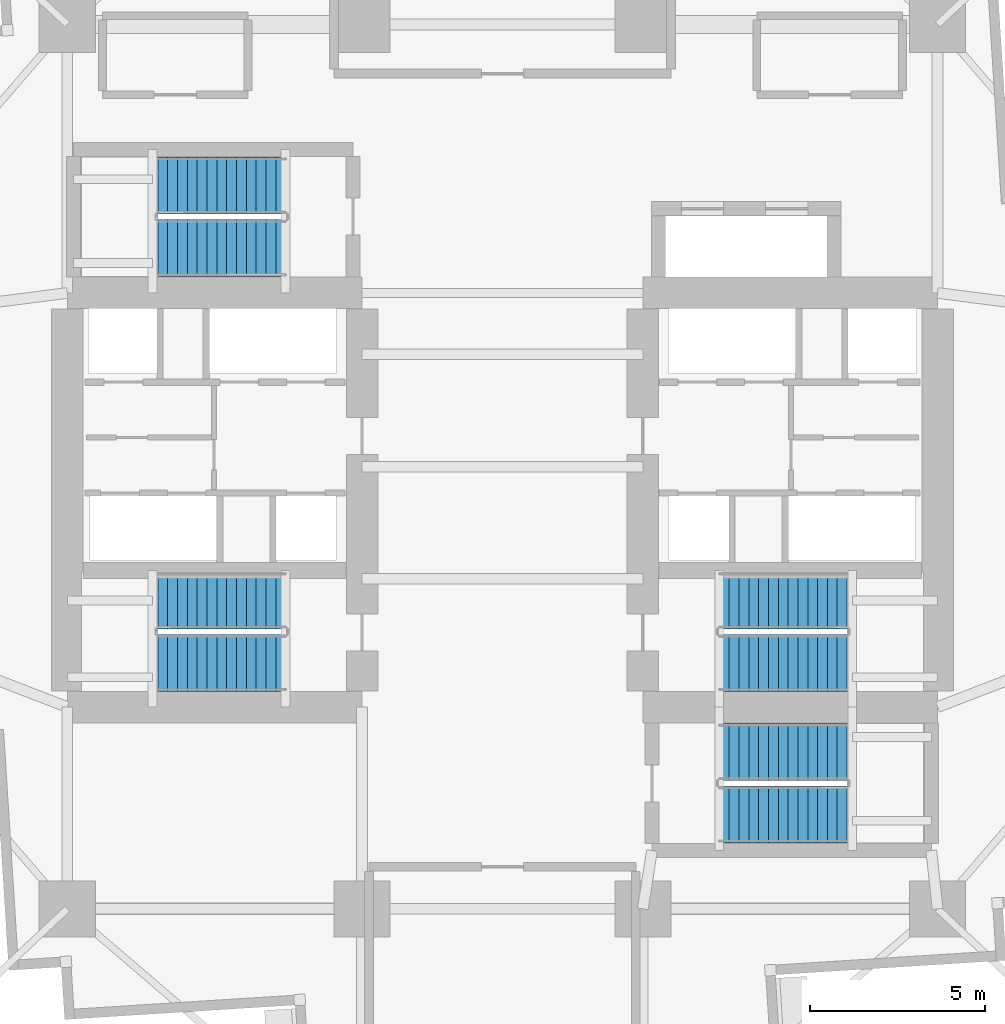
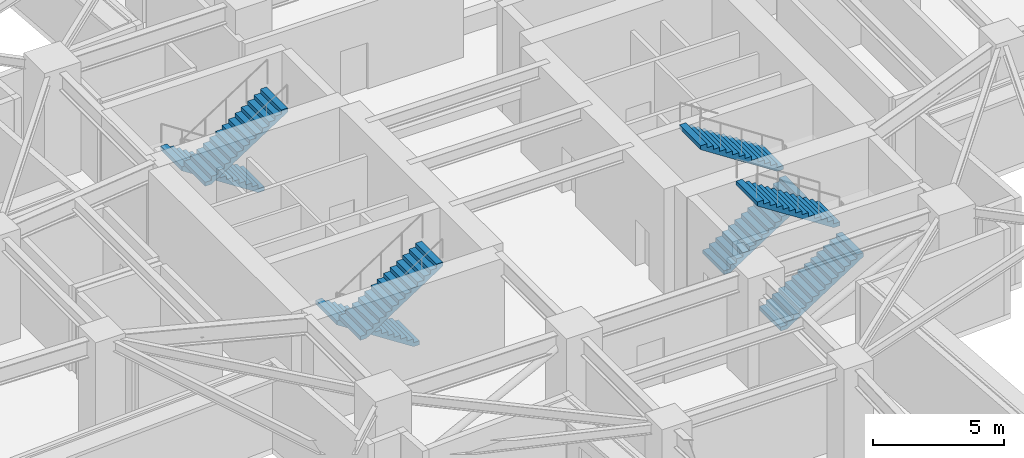
# One storey, part 6 of 11: 8 stair flights, 4 elements without a shape of their own.
"""IFC4 building model written with IfcOpenShell, lengths in metres."""

from ifc_helpers import new_model, si_unit, direction, frame, origin, place, context, subcontext, project, spatial, polyline, outline, extrude, material, layer, layer_set, type_object, element, aggregate, save


model = new_model("IFC4")

# Units and contexts
model_context = context("Model", 3, precision=1e-05, world=origin(), true_north=direction((0.0, 1.0)))
body_context = subcontext(model_context, "Body", "Model", "MODEL_VIEW")
ifc_project = project(units=[si_unit("LENGTHUNIT", "METRE"), si_unit("AREAUNIT", "SQUARE_METRE"), si_unit("VOLUMEUNIT", "CUBIC_METRE"), si_unit("PLANEANGLEUNIT", "RADIAN"), si_unit("MASSUNIT", "GRAM", prefix="KILO")], contexts=[model_context])

# Site, building, storey
site_placement = place(None, origin())
site = spatial("IfcSite", under=ifc_project, at=site_placement, CompositionType="ELEMENT")
building_placement = place(site_placement, origin())
building = spatial("IfcBuilding", under=site, at=building_placement, Name="Qingluan Cross Belvedere", CompositionType="ELEMENT")
storey_placement = place(building_placement, frame((0.0, 0.0, 47.10009765625)))
storey = spatial("IfcBuildingStorey", under=building, at=storey_placement, Name="L12", CompositionType="ELEMENT", Elevation=47.10009765625)

# Stair, stair flights
ifc_material_1 = material(Name="Concrete C40", Category="concrete")
stair_type = type_object("IfcStairType", Name="CoreDoglegStair_1620", PredefinedType="HALF_TURN_STAIR", material=ifc_material_1)
stair_1_placement = place(storey_placement, origin())
stair_1 = element("IfcStair", 1, at=stair_1_placement, inside=storey, type_object=stair_type, Name="L12 ST1", PredefinedType="HALF_TURN_STAIR")
ifc_material_2 = material(Name="Concrete C40", Category="concrete")
ifc_layer = layer(ifc_material_2, 0.179931640625, Name="StairFlight_RC180")
ifc_layer_set = layer_set([ifc_layer], Name="Concrete C40")
stair_flight_type = type_object("IfcStairFlightType", Name="StairFlight_RC180", PredefinedType="STRAIGHT", material=ifc_layer_set)
stair_flight_1_placement = place(storey_placement, frame((-6.179931640625, -3.81005859375, 0.0), z_axis=(0.0, 0.0, 1.0), x_axis=(-1.0, 0.0, 0.0)))
stair_flight_1 = element("IfcStairFlight", 2, at=stair_flight_1_placement, type_object=stair_flight_type, Name="ST1 flight 1", NumberOfRisers=14, NumberOfTreads=13, PredefinedType="STRAIGHT", RiserHeight=0.182142857, TreadLength=0.28, context=body_context, shape_type="SweptSolid", body=[
    extrude(outline(polyline([(0.0, 0.0), (0.0, 0.18212890625), (0.280029296875, 0.18212890625), (0.280029296875, 0.3642578125), (0.56005859375, 0.3642578125), (0.56005859375, 0.54638671875), (0.840087890625, 0.54638671875), (0.840087890625, 0.728515625), (1.1201171875, 0.728515625), (1.1201171875, 0.91064453125), (1.39990234375, 0.91064453125), (1.39990234375, 1.0927734375), (1.679931640625, 1.0927734375), (1.679931640625, 1.27490234375), (1.9599609375, 1.27490234375), (1.9599609375, 1.45703125), (2.239990234375, 1.45703125), (2.239990234375, 1.639404296875), (2.52001953125, 1.639404296875), (2.52001953125, 1.821533203125), (2.800048828125, 1.821533203125), (2.800048828125, 2.003662109375), (3.080078125, 2.003662109375), (3.080078125, 2.185791015625), (3.360107421875, 2.185791015625), (3.360107421875, 2.367919921875), (3.639892578125, 2.367919921875), (3.639892578125, 2.550048828125), (3.639892578125, 2.18896484375), (0.27490234375, 0.0), (0.0, 0.0)])), frame((0.0, 0.81005859375, 0.0), z_axis=(0.0, -1.0, 0.0), x_axis=(1.0, 0.0, 0.0)), (0.0, 0.0, 1.0), 1.6201171875),
])
stair_flight_2_placement = place(storey_placement, frame((-9.820068359375, -5.590087890625, 2.5498046875), z_axis=(0.0, 0.0, 1.0), x_axis=(1.0, 0.0, 0.0)))
stair_flight_2 = element("IfcStairFlight", 3, at=stair_flight_2_placement, type_object=stair_flight_type, Name="ST1 flight 2", NumberOfRisers=14, NumberOfTreads=13, PredefinedType="STRAIGHT", RiserHeight=0.182142857, TreadLength=0.28, context=body_context, shape_type="SweptSolid", body=[
    extrude(outline(polyline([(0.0, 0.0), (0.0, 0.18212890625), (0.280029296875, 0.18212890625), (0.280029296875, 0.3642578125), (0.56005859375, 0.3642578125), (0.56005859375, 0.54638671875), (0.840087890625, 0.54638671875), (0.840087890625, 0.728515625), (1.1201171875, 0.728515625), (1.1201171875, 0.91064453125), (1.39990234375, 0.91064453125), (1.39990234375, 1.0927734375), (1.679931640625, 1.0927734375), (1.679931640625, 1.27490234375), (1.9599609375, 1.27490234375), (1.9599609375, 1.45703125), (2.239990234375, 1.45703125), (2.239990234375, 1.639404296875), (2.52001953125, 1.639404296875), (2.52001953125, 1.821533203125), (2.800048828125, 1.821533203125), (2.800048828125, 2.003662109375), (3.080078125, 2.003662109375), (3.080078125, 2.185791015625), (3.360107421875, 2.185791015625), (3.360107421875, 2.367919921875), (3.639892578125, 2.367919921875), (3.639892578125, 2.550048828125), (3.639892578125, 2.18896484375), (0.27490234375, 0.0), (0.0, 0.0)])), frame((0.0, 0.81005859375, 0.0), z_axis=(0.0, -1.0, 0.0), x_axis=(1.0, 0.0, 0.0)), (0.0, 0.0, 1.0), 1.6201171875),
])
aggregate(stair_1, [stair_flight_1, stair_flight_2])

stair_2_placement = place(storey_placement, origin())
stair_2 = element("IfcStair", 4, at=stair_2_placement, inside=storey, type_object=stair_type, Name="L12 ST2", PredefinedType="HALF_TURN_STAIR")
stair_flight_3_placement = place(storey_placement, frame((6.179931640625, -5.590087890625, 0.0), z_axis=(0.0, 0.0, 1.0), x_axis=(1.0, 0.0, 0.0)))
stair_flight_3 = element("IfcStairFlight", 5, at=stair_flight_3_placement, type_object=stair_flight_type, Name="ST2 flight 1", NumberOfRisers=14, NumberOfTreads=13, PredefinedType="STRAIGHT", RiserHeight=0.182142857, TreadLength=0.28, context=body_context, shape_type="SweptSolid", body=[
    extrude(outline(polyline([(0.0, 0.0), (0.0, 0.18212890625), (0.280029296875, 0.18212890625), (0.280029296875, 0.3642578125), (0.56005859375, 0.3642578125), (0.56005859375, 0.54638671875), (0.840087890625, 0.54638671875), (0.840087890625, 0.728515625), (1.1201171875, 0.728515625), (1.1201171875, 0.91064453125), (1.39990234375, 0.91064453125), (1.39990234375, 1.0927734375), (1.679931640625, 1.0927734375), (1.679931640625, 1.27490234375), (1.9599609375, 1.27490234375), (1.9599609375, 1.45703125), (2.239990234375, 1.45703125), (2.239990234375, 1.639404296875), (2.52001953125, 1.639404296875), (2.52001953125, 1.821533203125), (2.800048828125, 1.821533203125), (2.800048828125, 2.003662109375), (3.080078125, 2.003662109375), (3.080078125, 2.185791015625), (3.360107421875, 2.185791015625), (3.360107421875, 2.367919921875), (3.639892578125, 2.367919921875), (3.639892578125, 2.550048828125), (3.639892578125, 2.18896484375), (0.27490234375, 0.0), (0.0, 0.0)])), frame((0.0, 0.81005859375, 0.0), z_axis=(0.0, -1.0, 0.0), x_axis=(1.0, 0.0, 0.0)), (0.0, 0.0, 1.0), 1.6201171875),
])
stair_flight_4_placement = place(storey_placement, frame((9.820068359375, -3.81005859375, 2.5498046875), z_axis=(0.0, 0.0, 1.0), x_axis=(-1.0, 0.0, 0.0)))
stair_flight_4 = element("IfcStairFlight", 6, at=stair_flight_4_placement, type_object=stair_flight_type, Name="ST2 flight 2", NumberOfRisers=14, NumberOfTreads=13, PredefinedType="STRAIGHT", RiserHeight=0.182142857, TreadLength=0.28, context=body_context, shape_type="SweptSolid", body=[
    extrude(outline(polyline([(0.0, 0.0), (0.0, 0.18212890625), (0.280029296875, 0.18212890625), (0.280029296875, 0.3642578125), (0.56005859375, 0.3642578125), (0.56005859375, 0.54638671875), (0.840087890625, 0.54638671875), (0.840087890625, 0.728515625), (1.1201171875, 0.728515625), (1.1201171875, 0.91064453125), (1.39990234375, 0.91064453125), (1.39990234375, 1.0927734375), (1.679931640625, 1.0927734375), (1.679931640625, 1.27490234375), (1.9599609375, 1.27490234375), (1.9599609375, 1.45703125), (2.239990234375, 1.45703125), (2.239990234375, 1.639404296875), (2.52001953125, 1.639404296875), (2.52001953125, 1.821533203125), (2.800048828125, 1.821533203125), (2.800048828125, 2.003662109375), (3.080078125, 2.003662109375), (3.080078125, 2.185791015625), (3.360107421875, 2.185791015625), (3.360107421875, 2.367919921875), (3.639892578125, 2.367919921875), (3.639892578125, 2.550048828125), (3.639892578125, 2.18896484375), (0.27490234375, 0.0), (0.0, 0.0)])), frame((0.0, 0.81005859375, 0.0), z_axis=(0.0, -1.0, 0.0), x_axis=(1.0, 0.0, 0.0)), (0.0, 0.0, 1.0), 1.6201171875),
])
aggregate(stair_2, [stair_flight_3, stair_flight_4])

stair_3_placement = place(storey_placement, origin())
stair_3 = element("IfcStair", 7, at=stair_3_placement, inside=storey, type_object=stair_type, Name="L12 ST3", PredefinedType="HALF_TURN_STAIR")
stair_flight_5_placement = place(storey_placement, frame((-6.179931640625, 8.010009765625, 0.0), z_axis=(0.0, 0.0, 1.0), x_axis=(-1.0, 0.0, 0.0)))
stair_flight_5 = element("IfcStairFlight", 8, at=stair_flight_5_placement, type_object=stair_flight_type, Name="ST3 flight 1", NumberOfRisers=14, NumberOfTreads=13, PredefinedType="STRAIGHT", RiserHeight=0.182142857, TreadLength=0.28, context=body_context, shape_type="SweptSolid", body=[
    extrude(outline(polyline([(0.0, 0.0), (0.0, 0.18212890625), (0.280029296875, 0.18212890625), (0.280029296875, 0.3642578125), (0.56005859375, 0.3642578125), (0.56005859375, 0.54638671875), (0.840087890625, 0.54638671875), (0.840087890625, 0.728515625), (1.1201171875, 0.728515625), (1.1201171875, 0.91064453125), (1.39990234375, 0.91064453125), (1.39990234375, 1.0927734375), (1.679931640625, 1.0927734375), (1.679931640625, 1.27490234375), (1.9599609375, 1.27490234375), (1.9599609375, 1.45703125), (2.239990234375, 1.45703125), (2.239990234375, 1.639404296875), (2.52001953125, 1.639404296875), (2.52001953125, 1.821533203125), (2.800048828125, 1.821533203125), (2.800048828125, 2.003662109375), (3.080078125, 2.003662109375), (3.080078125, 2.185791015625), (3.360107421875, 2.185791015625), (3.360107421875, 2.367919921875), (3.639892578125, 2.367919921875), (3.639892578125, 2.550048828125), (3.639892578125, 2.18896484375), (0.27490234375, 0.0), (0.0, 0.0)])), frame((0.0, 0.81005859375, 0.0), z_axis=(0.0, -1.0, 0.0), x_axis=(1.0, 0.0, 0.0)), (0.0, 0.0, 1.0), 1.6201171875),
])
stair_flight_6_placement = place(storey_placement, frame((-9.820068359375, 6.22998046875, 2.5498046875), z_axis=(0.0, 0.0, 1.0), x_axis=(1.0, 0.0, 0.0)))
stair_flight_6 = element("IfcStairFlight", 9, at=stair_flight_6_placement, type_object=stair_flight_type, Name="ST3 flight 2", NumberOfRisers=14, NumberOfTreads=13, PredefinedType="STRAIGHT", RiserHeight=0.182142857, TreadLength=0.28, context=body_context, shape_type="SweptSolid", body=[
    extrude(outline(polyline([(0.0, 0.0), (0.0, 0.18212890625), (0.280029296875, 0.18212890625), (0.280029296875, 0.3642578125), (0.56005859375, 0.3642578125), (0.56005859375, 0.54638671875), (0.840087890625, 0.54638671875), (0.840087890625, 0.728515625), (1.1201171875, 0.728515625), (1.1201171875, 0.91064453125), (1.39990234375, 0.91064453125), (1.39990234375, 1.0927734375), (1.679931640625, 1.0927734375), (1.679931640625, 1.27490234375), (1.9599609375, 1.27490234375), (1.9599609375, 1.45703125), (2.239990234375, 1.45703125), (2.239990234375, 1.639404296875), (2.52001953125, 1.639404296875), (2.52001953125, 1.821533203125), (2.800048828125, 1.821533203125), (2.800048828125, 2.003662109375), (3.080078125, 2.003662109375), (3.080078125, 2.185791015625), (3.360107421875, 2.185791015625), (3.360107421875, 2.367919921875), (3.639892578125, 2.367919921875), (3.639892578125, 2.550048828125), (3.639892578125, 2.18896484375), (0.27490234375, 0.0), (0.0, 0.0)])), frame((0.0, 0.81005859375, 0.0), z_axis=(0.0, -1.0, 0.0), x_axis=(1.0, 0.0, 0.0)), (0.0, 0.0, 1.0), 1.6201171875),
])
aggregate(stair_3, [stair_flight_5, stair_flight_6])

stair_4_placement = place(storey_placement, origin())
stair_4 = element("IfcStair", 10, at=stair_4_placement, inside=storey, type_object=stair_type, Name="L12 ST4", PredefinedType="HALF_TURN_STAIR")
stair_flight_7_placement = place(storey_placement, frame((6.179931640625, -9.909912109375, 0.0), z_axis=(0.0, 0.0, 1.0), x_axis=(1.0, 0.0, 0.0)))
stair_flight_7 = element("IfcStairFlight", 11, at=stair_flight_7_placement, type_object=stair_flight_type, Name="ST4 flight 1", NumberOfRisers=14, NumberOfTreads=13, PredefinedType="STRAIGHT", RiserHeight=0.182142857, TreadLength=0.28, context=body_context, shape_type="SweptSolid", body=[
    extrude(outline(polyline([(0.0, 0.0), (0.0, 0.18212890625), (0.280029296875, 0.18212890625), (0.280029296875, 0.3642578125), (0.56005859375, 0.3642578125), (0.56005859375, 0.54638671875), (0.840087890625, 0.54638671875), (0.840087890625, 0.728515625), (1.1201171875, 0.728515625), (1.1201171875, 0.91064453125), (1.39990234375, 0.91064453125), (1.39990234375, 1.0927734375), (1.679931640625, 1.0927734375), (1.679931640625, 1.27490234375), (1.9599609375, 1.27490234375), (1.9599609375, 1.45703125), (2.239990234375, 1.45703125), (2.239990234375, 1.639404296875), (2.52001953125, 1.639404296875), (2.52001953125, 1.821533203125), (2.800048828125, 1.821533203125), (2.800048828125, 2.003662109375), (3.080078125, 2.003662109375), (3.080078125, 2.185791015625), (3.360107421875, 2.185791015625), (3.360107421875, 2.367919921875), (3.639892578125, 2.367919921875), (3.639892578125, 2.550048828125), (3.639892578125, 2.18896484375), (0.27490234375, 0.0), (0.0, 0.0)])), frame((0.0, 0.81005859375, 0.0), z_axis=(0.0, -1.0, 0.0), x_axis=(1.0, 0.0, 0.0)), (0.0, 0.0, 1.0), 1.6201171875),
])
stair_flight_8_placement = place(storey_placement, frame((9.820068359375, -8.1298828125, 2.5498046875), z_axis=(0.0, 0.0, 1.0), x_axis=(-1.0, 0.0, 0.0)))
stair_flight_8 = element("IfcStairFlight", 12, at=stair_flight_8_placement, type_object=stair_flight_type, Name="ST4 flight 2", NumberOfRisers=14, NumberOfTreads=13, PredefinedType="STRAIGHT", RiserHeight=0.182142857, TreadLength=0.28, context=body_context, shape_type="SweptSolid", body=[
    extrude(outline(polyline([(0.0, 0.0), (0.0, 0.18212890625), (0.280029296875, 0.18212890625), (0.280029296875, 0.3642578125), (0.56005859375, 0.3642578125), (0.56005859375, 0.54638671875), (0.840087890625, 0.54638671875), (0.840087890625, 0.728515625), (1.1201171875, 0.728515625), (1.1201171875, 0.91064453125), (1.39990234375, 0.91064453125), (1.39990234375, 1.0927734375), (1.679931640625, 1.0927734375), (1.679931640625, 1.27490234375), (1.9599609375, 1.27490234375), (1.9599609375, 1.45703125), (2.239990234375, 1.45703125), (2.239990234375, 1.639404296875), (2.52001953125, 1.639404296875), (2.52001953125, 1.821533203125), (2.800048828125, 1.821533203125), (2.800048828125, 2.003662109375), (3.080078125, 2.003662109375), (3.080078125, 2.185791015625), (3.360107421875, 2.185791015625), (3.360107421875, 2.367919921875), (3.639892578125, 2.367919921875), (3.639892578125, 2.550048828125), (3.639892578125, 2.18896484375), (0.27490234375, 0.0), (0.0, 0.0)])), frame((0.0, 0.81005859375, 0.0), z_axis=(0.0, -1.0, 0.0), x_axis=(1.0, 0.0, 0.0)), (0.0, 0.0, 1.0), 1.6201171875),
])
aggregate(stair_4, [stair_flight_7, stair_flight_8])

save(model, "model.ifc")
